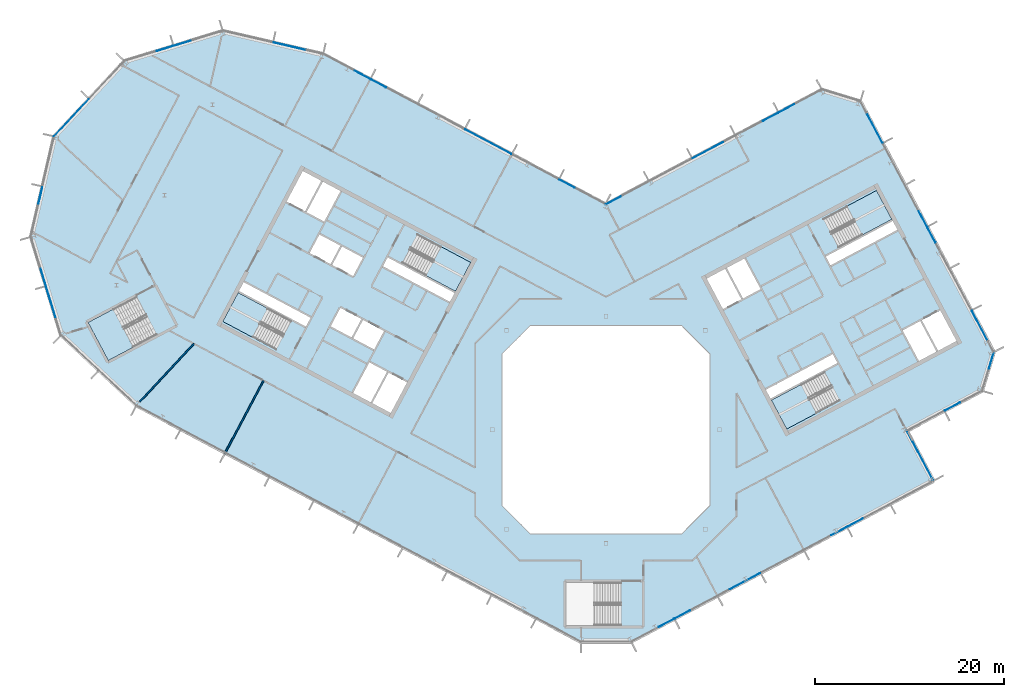
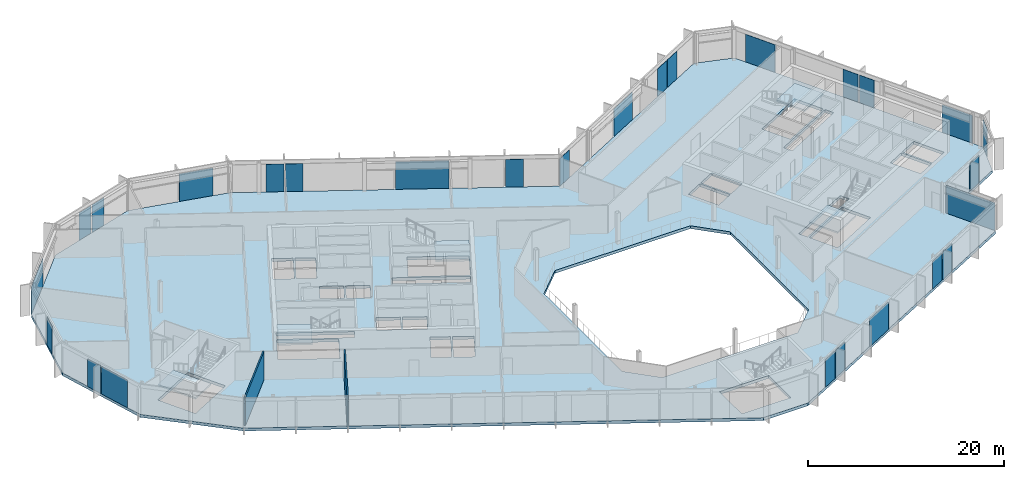
# One storey, part 11 of 25: 27 plates, 6 slabs, 2 walls, 17 elements without a shape of their own.
"""IFC4 building model written with IfcOpenShell, lengths in metres."""

from ifc_helpers import new_model, si_unit, direction, frame, frame_2d, origin, origin_2d, place, context, subcontext, project, spatial, polyline, rectangle, outline, extrude, material, layer, layer_set, type_object, element, aggregate, save


model = new_model("IFC4")

# Units and contexts
model_context = context("Model", 3, precision=1e-05, world=origin(), true_north=direction((0.0, 1.0)))
body_context = subcontext(model_context, "Body", "Model", "MODEL_VIEW")
ifc_project = project(units=[si_unit("LENGTHUNIT", "METRE"), si_unit("AREAUNIT", "SQUARE_METRE"), si_unit("VOLUMEUNIT", "CUBIC_METRE"), si_unit("PLANEANGLEUNIT", "RADIAN"), si_unit("MASSUNIT", "GRAM", prefix="KILO")], contexts=[model_context])

# Site, building, storey
site_placement = place(None, origin())
site = spatial("IfcSite", under=ifc_project, at=site_placement, CompositionType="ELEMENT")
building_placement = place(site_placement, origin())
building = spatial("IfcBuilding", under=site, at=building_placement, Name="Cormorant Relay Tower", CompositionType="ELEMENT")
storey_placement = place(building_placement, frame((0.0, 0.0, 297.0)))
storey = spatial("IfcBuildingStorey", under=building, at=storey_placement, Name="L67", CompositionType="ELEMENT", Elevation=297.0)

# Curtain wall, plates
ifc_material_1 = material(Name="Aluminium 6063-T6 anodised bronze", Category="aluminium")
ifc_layer_1 = layer(ifc_material_1, 0.199951171875)
ifc_layer_set_1 = layer_set([ifc_layer_1], Name="CW1 unitised bronze curtain wall with vertical fins")
curtain_wall_type = type_object("IfcCurtainWallType", Name="CW1 unitised bronze curtain wall with vertical fins", PredefinedType="NOTDEFINED", material=ifc_layer_set_1)
curtain_wall_1_placement = place(storey_placement, origin())
curtain_wall_1 = element("IfcCurtainWall", 1, at=curtain_wall_1_placement, inside=storey, type_object=curtain_wall_type, Name="CW1 curtain wall 2", PredefinedType="NOTDEFINED")
ifc_material_2 = material(Name="Tinted laminated glass", Category="glass")
ifc_layer_2 = layer(ifc_material_2, 0.0400390625)
ifc_layer_set_2 = layer_set([ifc_layer_2], Name="CW1 tinted vision panel 1800 module")
plate_type_1 = type_object("IfcPlateType", Name="CW1 tinted vision panel 1800 module", PredefinedType="CURTAIN_PANEL", material=ifc_layer_set_2)
plate_1_placement = place(storey_placement, frame((6.359130859375, -20.42529296875, 0.0), z_axis=(0.0, 0.0, 1.0), x_axis=(0.882947592859, 0.469471562786, 0.0)))
plate_1 = element("IfcPlate", 2, at=plate_1_placement, type_object=plate_type_1, Name="CW1 panel V01", PredefinedType="CURTAIN_PANEL", context=body_context, shape_type="SweptSolid", body=[
    extrude(rectangle(XDim=1.800048828125, YDim=0.0400390625, at=origin_2d()), origin(), (0.0, 0.0, 1.0), 3.449951171875),
])
plate_2_placement = place(storey_placement, frame((8.080810546875, -19.510009765625, 0.0), z_axis=(0.0, 0.0, 1.0), x_axis=(0.882947592859, 0.469471562786, 0.0)))
plate_2 = element("IfcPlate", 3, at=plate_2_placement, type_object=plate_type_1, Name="CW1 panel V02", PredefinedType="CURTAIN_PANEL", context=body_context, shape_type="SweptSolid", body=[
    extrude(rectangle(XDim=1.800048828125, YDim=0.0400390625, at=origin_2d()), origin(), (0.0, 0.0, 1.0), 3.449951171875),
])
plate_3_placement = place(storey_placement, frame((24.6064453125, -10.72314453125, 0.0), z_axis=(0.0, 0.0, 1.0), x_axis=(0.882947592859, 0.469471562786, 0.0)))
plate_3 = element("IfcPlate", 4, at=plate_3_placement, type_object=plate_type_1, Name="CW1 panel V06", PredefinedType="CURTAIN_PANEL", context=body_context, shape_type="SweptSolid", body=[
    extrude(rectangle(XDim=1.800048828125, YDim=0.0400390625, at=origin_2d()), origin(), (0.0, 0.0, 1.0), 3.449951171875),
])
plate_4_placement = place(storey_placement, frame((26.328125, -9.8076171875, 0.0), z_axis=(0.0, 0.0, 1.0), x_axis=(0.882947592859, 0.469471562786, 0.0)))
plate_4 = element("IfcPlate", 5, at=plate_4_placement, type_object=plate_type_1, Name="CW1 panel V07", PredefinedType="CURTAIN_PANEL", context=body_context, shape_type="SweptSolid", body=[
    extrude(rectangle(XDim=1.800048828125, YDim=0.0400390625, at=origin_2d()), origin(), (0.0, 0.0, 1.0), 3.449951171875),
])

# Curtain wall, plate
curtain_wall_2_placement = place(storey_placement, origin())
curtain_wall_2 = element("IfcCurtainWall", 6, at=curtain_wall_2_placement, inside=storey, type_object=curtain_wall_type, Name="CW1 curtain wall 4", PredefinedType="NOTDEFINED")
plate_5_placement = place(storey_placement, frame((36.608154296875, 2.45361328125, 0.0), z_axis=(0.0, 0.0, 1.0), x_axis=(0.882947592859, 0.469471562786, 0.0)))
plate_5 = element("IfcPlate", 7, at=plate_5_placement, type_object=plate_type_1, Name="CW1 panel V01", PredefinedType="CURTAIN_PANEL", context=body_context, shape_type="SweptSolid", body=[
    extrude(rectangle(XDim=1.800048828125, YDim=0.0400390625, at=origin_2d()), origin(), (0.0, 0.0, 1.0), 3.449951171875),
])
aggregate(curtain_wall_2, [plate_5])

curtain_wall_3_placement = place(storey_placement, origin())
curtain_wall_3 = element("IfcCurtainWall", 8, at=curtain_wall_3_placement, inside=storey, type_object=curtain_wall_type, Name="CW1 curtain wall 5", PredefinedType="NOTDEFINED")
plate_6_placement = place(storey_placement, frame((40.70751953125, 7.31689453125, 0.0), z_axis=(0.0, 0.0, 1.0), x_axis=(0.292371704723, 0.956304755963, 0.0)))
plate_6 = element("IfcPlate", 9, at=plate_6_placement, type_object=plate_type_1, Name="CW1 panel V01", PredefinedType="CURTAIN_PANEL", context=body_context, shape_type="SweptSolid", body=[
    extrude(rectangle(XDim=1.800048828125, YDim=0.0400390625, at=origin_2d()), origin(), (0.0, 0.0, 1.0), 3.449951171875),
])
aggregate(curtain_wall_3, [plate_6])

# Curtain wall, plates
curtain_wall_4_placement = place(storey_placement, origin())
curtain_wall_4 = element("IfcCurtainWall", 10, at=curtain_wall_4_placement, inside=storey, type_object=curtain_wall_type, Name="CW1 curtain wall 6", PredefinedType="NOTDEFINED")
plate_7_placement = place(storey_placement, frame((34.385009765625, 20.576171875, 0.0), z_axis=(0.0, 0.0, 1.0), x_axis=(-0.469471562786, 0.882947592859, 0.0)))
plate_7 = element("IfcPlate", 11, at=plate_7_placement, type_object=plate_type_1, Name="CW1 panel V03", PredefinedType="CURTAIN_PANEL", context=body_context, shape_type="SweptSolid", body=[
    extrude(rectangle(XDim=1.800048828125, YDim=0.0400390625, at=origin_2d()), origin(), (0.0, 0.0, 1.0), 3.449951171875),
])
plate_8_placement = place(storey_placement, frame((33.469482421875, 22.298095703125, 0.0), z_axis=(0.0, 0.0, 1.0), x_axis=(-0.469471562786, 0.882947592859, 0.0)))
plate_8 = element("IfcPlate", 12, at=plate_8_placement, type_object=plate_type_1, Name="CW1 panel V04", PredefinedType="CURTAIN_PANEL", context=body_context, shape_type="SweptSolid", body=[
    extrude(rectangle(XDim=1.800048828125, YDim=0.0400390625, at=origin_2d()), origin(), (0.0, 0.0, 1.0), 3.449951171875),
])

curtain_wall_5_placement = place(storey_placement, origin())
curtain_wall_5 = element("IfcCurtainWall", 13, at=curtain_wall_5_placement, inside=storey, type_object=curtain_wall_type, Name="CW1 curtain wall 8", PredefinedType="NOTDEFINED")
plate_9_placement = place(storey_placement, frame((19.099609375, 33.962158203125, 0.0), z_axis=(0.0, 0.0, 1.0), x_axis=(-0.882947592859, -0.469471562786, 0.0)))
plate_9 = element("IfcPlate", 14, at=plate_9_placement, type_object=plate_type_1, Name="CW1 panel V01", PredefinedType="CURTAIN_PANEL", context=body_context, shape_type="SweptSolid", body=[
    extrude(rectangle(XDim=1.800048828125, YDim=0.0400390625, at=origin_2d()), origin(), (0.0, 0.0, 1.0), 3.449951171875),
])
plate_10_placement = place(storey_placement, frame((17.3779296875, 33.046630859375, 0.0), z_axis=(0.0, 0.0, 1.0), x_axis=(-0.882947592859, -0.469471562786, 0.0)))
plate_10 = element("IfcPlate", 15, at=plate_10_placement, type_object=plate_type_1, Name="CW1 panel V02", PredefinedType="CURTAIN_PANEL", context=body_context, shape_type="SweptSolid", body=[
    extrude(rectangle(XDim=1.800048828125, YDim=0.0400390625, at=origin_2d()), origin(), (0.0, 0.0, 1.0), 3.449951171875),
])
plate_11_placement = place(storey_placement, frame((0.785400390625, 24.22412109375, 0.0), z_axis=(0.0, 0.0, 1.0), x_axis=(-0.882947592859, -0.469471562786, 0.0)))
plate_11 = element("IfcPlate", 16, at=plate_11_placement, type_object=plate_type_1, Name="CW1 panel V06", PredefinedType="CURTAIN_PANEL", context=body_context, shape_type="SweptSolid", body=[
    extrude(rectangle(XDim=1.800048828125, YDim=0.0400390625, at=origin_2d()), origin(), (0.0, 0.0, 1.0), 3.449951171875),
])

curtain_wall_6_placement = place(storey_placement, origin())
curtain_wall_6 = element("IfcCurtainWall", 17, at=curtain_wall_6_placement, inside=storey, type_object=curtain_wall_type, Name="CW1 curtain wall 9", PredefinedType="NOTDEFINED")
plate_12_placement = place(storey_placement, frame((-4.108642578125, 25.9912109375, 0.0), z_axis=(0.0, 0.0, 1.0), x_axis=(-0.882947592859, 0.469471562786, 0.0)))
plate_12 = element("IfcPlate", 18, at=plate_12_placement, type_object=plate_type_1, Name="CW1 panel V01", PredefinedType="CURTAIN_PANEL", context=body_context, shape_type="SweptSolid", body=[
    extrude(rectangle(XDim=1.800048828125, YDim=0.0400390625, at=origin_2d()), origin(), (0.0, 0.0, 1.0), 3.449951171875),
])
plate_13_placement = place(storey_placement, frame((-24.0244140625, 36.580810546875, 0.0), z_axis=(0.0, 0.0, 1.0), x_axis=(-0.882947592859, 0.469471562786, 0.0)))
plate_13 = element("IfcPlate", 19, at=plate_13_placement, type_object=plate_type_1, Name="CW1 panel V05", PredefinedType="CURTAIN_PANEL", context=body_context, shape_type="SweptSolid", body=[
    extrude(rectangle(XDim=1.800048828125, YDim=0.0400390625, at=origin_2d()), origin(), (0.0, 0.0, 1.0), 3.449951171875),
])
plate_14_placement = place(storey_placement, frame((-25.746337890625, 37.49609375, 0.0), z_axis=(0.0, 0.0, 1.0), x_axis=(-0.882947592859, 0.469471562786, 0.0)))
plate_14 = element("IfcPlate", 20, at=plate_14_placement, type_object=plate_type_1, Name="CW1 panel V06", PredefinedType="CURTAIN_PANEL", context=body_context, shape_type="SweptSolid", body=[
    extrude(rectangle(XDim=1.800048828125, YDim=0.0400390625, at=origin_2d()), origin(), (0.0, 0.0, 1.0), 3.449951171875),
])

curtain_wall_7_placement = place(storey_placement, origin())
curtain_wall_7 = element("IfcCurtainWall", 21, at=curtain_wall_7_placement, inside=storey, type_object=curtain_wall_type, Name="CW1 curtain wall 11", PredefinedType="NOTDEFINED")
plate_15_placement = place(storey_placement, frame((-44.73681640625, 40.82861328125, 0.0), z_axis=(0.0, 0.0, 1.0), x_axis=(-0.956304755963, -0.292371704723, 0.0)))
plate_15 = element("IfcPlate", 22, at=plate_15_placement, type_object=plate_type_1, Name="CW1 panel V01", PredefinedType="CURTAIN_PANEL", context=body_context, shape_type="SweptSolid", body=[
    extrude(rectangle(XDim=1.800048828125, YDim=0.0400390625, at=origin_2d()), origin(), (0.0, 0.0, 1.0), 3.449951171875),
])
plate_16_placement = place(storey_placement, frame((-46.6015625, 40.25830078125, 0.0), z_axis=(0.0, 0.0, 1.0), x_axis=(-0.956304755963, -0.292371704723, 0.0)))
plate_16 = element("IfcPlate", 23, at=plate_16_placement, type_object=plate_type_1, Name="CW1 panel V02", PredefinedType="CURTAIN_PANEL", context=body_context, shape_type="SweptSolid", body=[
    extrude(rectangle(XDim=1.800048828125, YDim=0.0400390625, at=origin_2d()), origin(), (0.0, 0.0, 1.0), 3.449951171875),
])
aggregate(curtain_wall_7, [plate_15, plate_16])

# Curtain wall, plate
curtain_wall_8_placement = place(storey_placement, origin())
curtain_wall_8 = element("IfcCurtainWall", 24, at=curtain_wall_8_placement, inside=storey, type_object=curtain_wall_type, Name="CW1 curtain wall 13", PredefinedType="NOTDEFINED")
plate_17_placement = place(storey_placement, frame((-59.736083984375, 24.74365234375, 0.0), z_axis=(0.0, 0.0, 1.0), x_axis=(-0.224951054344, -0.974370064785, 0.0)))
plate_17 = element("IfcPlate", 25, at=plate_17_placement, type_object=plate_type_1, Name="CW1 panel V01", PredefinedType="CURTAIN_PANEL", context=body_context, shape_type="SweptSolid", body=[
    extrude(rectangle(XDim=1.800048828125, YDim=0.0400390625, at=origin_2d()), origin(), (0.0, 0.0, 1.0), 3.449951171875),
])
aggregate(curtain_wall_8, [plate_17])

curtain_wall_9_placement = place(storey_placement, origin())
curtain_wall_9 = element("IfcCurtainWall", 26, at=curtain_wall_9_placement, inside=storey, type_object=curtain_wall_type, Name="CW1 curtain wall 14", PredefinedType="NOTDEFINED")
plate_18_placement = place(storey_placement, frame((-59.434814453125, 16.122314453125, 0.0), z_axis=(0.0, 0.0, 1.0), x_axis=(0.292371704723, -0.956304755963, 0.0)))
plate_18 = element("IfcPlate", 27, at=plate_18_placement, type_object=plate_type_1, Name="CW1 panel V01", PredefinedType="CURTAIN_PANEL", context=body_context, shape_type="SweptSolid", body=[
    extrude(rectangle(XDim=1.800048828125, YDim=0.0400390625, at=origin_2d()), origin(), (0.0, 0.0, 1.0), 3.449951171875),
])

# Plate
ifc_material_3 = material(Name="Tinted laminated glass", Category="glass")
ifc_layer_3 = layer(ifc_material_3, 0.0400390625)
ifc_layer_set_3 = layer_set([ifc_layer_3], Name="CW1 tinted vision panel 3600 module")
plate_type_2 = type_object("IfcPlateType", Name="CW1 tinted vision panel 3600 module", PredefinedType="CURTAIN_PANEL", material=ifc_layer_set_3)
plate_19_placement = place(storey_placement, frame((14.68798828125, -15.996826171875, 0.0), z_axis=(0.0, 0.0, 1.0), x_axis=(0.882947592859, 0.469471562786, 0.0)))
plate_19 = element("IfcPlate", 28, at=plate_19_placement, type_object=plate_type_2, Name="CW1 panel V04", PredefinedType="CURTAIN_PANEL", context=body_context, shape_type="SweptSolid", body=[
    extrude(rectangle(XDim=3.60009765625, YDim=0.0400390625, at=origin_2d()), origin(), (0.0, 0.0, 1.0), 3.449951171875),
])

aggregate(curtain_wall_1, [plate_1, plate_2, plate_19, plate_3, plate_4])

plate_20_placement = place(storey_placement, frame((39.502197265625, 10.9521484375, 0.0), z_axis=(0.0, 0.0, 1.0), x_axis=(-0.469471562786, 0.882947592859, 0.0)))
plate_20 = element("IfcPlate", 29, at=plate_20_placement, type_object=plate_type_2, Name="CW1 panel V01", PredefinedType="CURTAIN_PANEL", context=body_context, shape_type="SweptSolid", body=[
    extrude(rectangle(XDim=3.60009765625, YDim=0.0400390625, at=origin_2d()), origin(), (0.0, 0.0, 1.0), 3.449951171875),
])

plate_21_placement = place(storey_placement, frame((28.352294921875, 31.922119140625, 0.0), z_axis=(0.0, 0.0, 1.0), x_axis=(-0.469471562786, 0.882947592859, 0.0)))
plate_21 = element("IfcPlate", 30, at=plate_21_placement, type_object=plate_type_2, Name="CW1 panel V06", PredefinedType="CURTAIN_PANEL", context=body_context, shape_type="SweptSolid", body=[
    extrude(rectangle(XDim=3.60009765625, YDim=0.0400390625, at=origin_2d()), origin(), (0.0, 0.0, 1.0), 3.449951171875),
])

aggregate(curtain_wall_4, [plate_20, plate_7, plate_8, plate_21])

plate_22_placement = place(storey_placement, frame((10.770263671875, 29.533203125, 0.0), z_axis=(0.0, 0.0, 1.0), x_axis=(-0.882947592859, -0.469471562786, 0.0)))
plate_22 = element("IfcPlate", 31, at=plate_22_placement, type_object=plate_type_2, Name="CW1 panel V04", PredefinedType="CURTAIN_PANEL", context=body_context, shape_type="SweptSolid", body=[
    extrude(rectangle(XDim=3.60009765625, YDim=0.0400390625, at=origin_2d()), origin(), (0.0, 0.0, 1.0), 3.449951171875),
])

aggregate(curtain_wall_5, [plate_9, plate_10, plate_22, plate_11])

# Curtain wall, plate
curtain_wall_10_placement = place(storey_placement, origin())
curtain_wall_10 = element("IfcCurtainWall", 32, at=curtain_wall_10_placement, inside=storey, type_object=curtain_wall_type, Name="CW1 curtain wall 10", PredefinedType="NOTDEFINED")
plate_23_placement = place(storey_placement, frame((-33.338134765625, 40.488525390625, 0.0), z_axis=(0.0, 0.0, 1.0), x_axis=(-0.974370064785, 0.224951054344, 0.0)))
plate_23 = element("IfcPlate", 33, at=plate_23_placement, type_object=plate_type_2, Name="CW1 panel V01", PredefinedType="CURTAIN_PANEL", context=body_context, shape_type="SweptSolid", body=[
    extrude(rectangle(XDim=3.60009765625, YDim=0.0400390625, at=origin_2d()), origin(), (0.0, 0.0, 1.0), 3.449951171875),
])
aggregate(curtain_wall_10, [plate_23])

# Plate
plate_24_placement = place(storey_placement, frame((-58.601806640625, 13.396728515625, 0.0), z_axis=(0.0, 0.0, 1.0), x_axis=(0.292371704723, -0.956304755963, 0.0)))
plate_24 = element("IfcPlate", 34, at=plate_24_placement, type_object=plate_type_2, Name="CW1 panel V02", PredefinedType="CURTAIN_PANEL", context=body_context, shape_type="SweptSolid", body=[
    extrude(rectangle(XDim=3.60009765625, YDim=0.0400390625, at=origin_2d()), origin(), (0.0, 0.0, 1.0), 3.449951171875),
])

aggregate(curtain_wall_9, [plate_18, plate_24])

# Curtain wall, plate
curtain_wall_11_placement = place(storey_placement, origin())
curtain_wall_11 = element("IfcCurtainWall", 35, at=curtain_wall_11_placement, inside=storey, type_object=curtain_wall_type, Name="CW1 curtain wall 3", PredefinedType="NOTDEFINED")
ifc_material_4 = material(Name="Tinted laminated glass", Category="glass")
ifc_layer_4 = layer(ifc_material_4, 0.0400390625)
ifc_layer_set_4 = layer_set([ifc_layer_4], Name="CW1 tinted vision panel 5400 module")
plate_type_3 = type_object("IfcPlateType", Name="CW1 tinted vision panel 5400 module", PredefinedType="CURTAIN_PANEL", material=ifc_layer_set_4)
plate_25_placement = place(storey_placement, frame((33.173095703125, -2.705322265625, 0.0), z_axis=(0.0, 0.0, 1.0), x_axis=(-0.469471562786, 0.882947592859, 0.0)))
plate_25 = element("IfcPlate", 36, at=plate_25_placement, type_object=plate_type_3, Name="CW1 panel V00", PredefinedType="CURTAIN_PANEL", context=body_context, shape_type="SweptSolid", body=[
    extrude(rectangle(XDim=5.925048828125, YDim=0.0400390625, at=origin_2d()), origin(), (0.0, 0.0, 1.0), 3.449951171875),
])
aggregate(curtain_wall_11, [plate_25])

# Plate
plate_26_placement = place(storey_placement, frame((-12.43798828125, 30.419921875, 0.0), z_axis=(0.0, 0.0, 1.0), x_axis=(-0.882947592859, 0.469471562786, 0.0)))
plate_26 = element("IfcPlate", 37, at=plate_26_placement, type_object=plate_type_3, Name="CW1 panel V03", PredefinedType="CURTAIN_PANEL", context=body_context, shape_type="SweptSolid", body=[
    extrude(rectangle(XDim=5.489013671875, YDim=0.0400390625, at=origin_2d()), origin(), (0.0, 0.0, 1.0), 3.449951171875),
])

aggregate(curtain_wall_6, [plate_12, plate_26, plate_13, plate_14])

# Curtain wall, plate
curtain_wall_12_placement = place(storey_placement, origin())
curtain_wall_12 = element("IfcCurtainWall", 38, at=curtain_wall_12_placement, inside=storey, type_object=curtain_wall_type, Name="CW1 curtain wall 12", PredefinedType="NOTDEFINED")
plate_27_placement = place(storey_placement, frame((-56.461181640625, 32.958984375, 0.0), z_axis=(0.0, 0.0, 1.0), x_axis=(-0.681998360062, -0.731353701619, 0.0)))
plate_27 = element("IfcPlate", 39, at=plate_27_placement, type_object=plate_type_3, Name="CW1 panel V01", PredefinedType="CURTAIN_PANEL", context=body_context, shape_type="SweptSolid", body=[
    extrude(rectangle(XDim=5.360107421875, YDim=0.0400390625, at=origin_2d()), origin(), (0.0, 0.0, 1.0), 3.449951171875),
])
aggregate(curtain_wall_12, [plate_27])

# Stair, slab
ifc_material_5 = material(Name="Concrete 40 MPa", Category="concrete")
stair_type_1 = type_object("IfcStairType", Name="Exit stair 1500", PredefinedType="HALF_TURN_STAIR", material=ifc_material_5)
stair_1_placement = place(storey_placement, origin())
stair_1 = element("IfcStair", 40, at=stair_1_placement, inside=storey, type_object=stair_type_1, Name="L67 Stair", PredefinedType="HALF_TURN_STAIR")
ifc_material_6 = material(Name="Concrete 40 MPa", Category="concrete")
ifc_layer_5 = layer(ifc_material_6, 0.199951171875)
ifc_layer_set_5 = layer_set([ifc_layer_5], Name="Exit stair landing 200")
slab_type_1 = type_object("IfcSlabType", Name="Exit stair landing 200", PredefinedType="LANDING", material=ifc_layer_set_5)
slab_1_placement = place(storey_placement, frame((0.0, 0.0, 1.75)))
slab_1 = element("IfcSlab", 41, at=slab_1_placement, type_object=slab_type_1, Name="A1 landing 1", PredefinedType="LANDING", context=body_context, shape_type="SweptSolid", body=[
    extrude(outline(polyline([(-19.029541015625, 16.29052734375), (-15.89501953125, 14.6240234375), (-14.275390625, 17.670166015625), (-17.40966796875, 19.3369140625), (-19.029541015625, 16.29052734375)])), origin(), (0.0, 0.0, 1.0), 0.199951171875),
])
aggregate(stair_1, [slab_1])

stair_2_placement = place(storey_placement, origin())
stair_2 = element("IfcStair", 42, at=stair_2_placement, inside=storey, type_object=stair_type_1, Name="L67 Stair", PredefinedType="HALF_TURN_STAIR")
slab_2_placement = place(storey_placement, frame((0.0, 0.0, 1.75)))
slab_2 = element("IfcSlab", 43, at=slab_2_placement, type_object=slab_type_1, Name="A2 landing 1", PredefinedType="LANDING", context=body_context, shape_type="SweptSolid", body=[
    extrude(outline(polyline([(-35.71337890625, 12.816650390625), (-38.84765625, 14.483154296875), (-40.467529296875, 11.43701171875), (-37.3330078125, 9.7705078125), (-35.71337890625, 12.816650390625)])), origin(), (0.0, 0.0, 1.0), 0.199951171875),
])
aggregate(stair_2, [slab_2])

stair_3_placement = place(storey_placement, origin())
stair_3 = element("IfcStair", 44, at=stair_3_placement, inside=storey, type_object=stair_type_1, Name="L67 Stair", PredefinedType="HALF_TURN_STAIR")
slab_3_placement = place(storey_placement, frame((0.0, 0.0, 1.75)))
slab_3 = element("IfcSlab", 45, at=slab_3_placement, type_object=slab_type_1, Name="B1 landing 1", PredefinedType="LANDING", context=body_context, shape_type="SweptSolid", body=[
    extrude(outline(polyline([(20.614990234375, 4.78857421875), (17.48046875, 3.1220703125), (19.10009765625, 0.075927734375), (22.234619140625, 1.742431640625), (20.614990234375, 4.78857421875)])), origin(), (0.0, 0.0, 1.0), 0.199951171875),
])
aggregate(stair_3, [slab_3])

stair_4_placement = place(storey_placement, origin())
stair_4 = element("IfcStair", 46, at=stair_4_placement, inside=storey, type_object=stair_type_1, Name="L67 Stair", PredefinedType="HALF_TURN_STAIR")
slab_4_placement = place(storey_placement, frame((0.0, 0.0, 1.75)))
slab_4 = element("IfcSlab", 47, at=slab_4_placement, type_object=slab_type_1, Name="B2 landing 1", PredefinedType="LANDING", context=body_context, shape_type="SweptSolid", body=[
    extrude(outline(polyline([(27.064208984375, 20.562744140625), (30.19873046875, 22.2294921875), (28.5791015625, 25.275634765625), (25.444580078125, 23.60888671875), (27.064208984375, 20.562744140625)])), origin(), (0.0, 0.0, 1.0), 0.199951171875),
])
aggregate(stair_4, [slab_4])

ifc_material_7 = material(Name="Concrete 40 MPa", Category="concrete")
stair_type_2 = type_object("IfcStairType", Name="Remote exit stair 2200", PredefinedType="HALF_TURN_STAIR", material=ifc_material_7)
stair_5_placement = place(storey_placement, origin())
stair_5 = element("IfcStair", 48, at=stair_5_placement, inside=storey, type_object=stair_type_2, Name="L67 Stair", PredefinedType="HALF_TURN_STAIR")
slab_5_placement = place(storey_placement, frame((0.0, 0.0, 1.75)))
slab_5 = element("IfcSlab", 49, at=slab_5_placement, type_object=slab_type_1, Name="RP1 landing 1", PredefinedType="LANDING", context=body_context, shape_type="SweptSolid", body=[
    extrude(outline(polyline([(-52.051025390625, 12.7392578125), (-54.699951171875, 11.330810546875), (-52.563720703125, 7.3134765625), (-49.914794921875, 8.721923828125), (-52.051025390625, 12.7392578125)])), origin(), (0.0, 0.0, 1.0), 0.199951171875),
])
aggregate(stair_5, [slab_5])

# Slab
ifc_material_8 = material(Name="Concrete 40 MPa", Category="concrete")
ifc_layer_6 = layer(ifc_material_8, 0.360107421875)
ifc_layer_set_6 = layer_set([ifc_layer_6], Name="Flat plate 360")
slab_type_2 = type_object("IfcSlabType", Name="Flat plate 360", PredefinedType="FLOOR", material=ifc_layer_set_6)
slab_6_placement = place(storey_placement, frame((0.0, 0.0, -0.360107421875)))
element("IfcSlab", 50, at=slab_6_placement, inside=storey, type_object=slab_type_2, Name="Floor slab L67", PredefinedType="FLOOR", context=body_context, shape_type="SweptSolid", body=[
    extrude(outline(polyline([(-60.7197265625, 20.393310546875), (-58.2744140625, 30.985107421875), (-50.86083984375, 38.935302734375), (-40.465576171875, 42.11328125), (-29.873779296875, 39.668212890625), (0.0, 23.783935546875), (22.810302734375, 35.912353515625), (26.867431640625, 34.671875), (40.95166015625, 8.18359375), (39.711181640625, 4.126220703125), (31.7646484375, -0.09912109375), (34.581298828125, -5.396728515625), (2.648681640625, -22.37548828125), (-2.648681640625, -22.37548828125), (-49.591552734375, 2.584228515625), (-57.541748046875, 9.997802734375), (-60.7197265625, 20.393310546875)]), holes=[polyline([(11.0, -8.0), (11.0, 8.0), (8.0, 11.0), (-8.0, 11.0), (-11.0, 8.0), (-11.0, -8.0), (-8.0, -11.0), (8.0, -11.0), (11.0, -8.0)]), polyline([(-22.95458984375, 6.03271484375), (-24.668212890625, 2.81005859375), (-22.725830078125, 1.777099609375), (-21.01220703125, 5.0), (-23.04296875, 6.07958984375), (-22.95458984375, 6.03271484375)]), polyline([(-24.985595703125, 7.112548828125), (-26.69921875, 3.889892578125), (-24.844970703125, 2.90380859375), (-23.13134765625, 6.126708984375), (-23.04296875, 6.07958984375), (-24.985595703125, 7.112548828125)]), polyline([(-24.481201171875, 8.48681640625), (-23.448486328125, 10.42919921875), (-25.656005859375, 11.602783203125), (-26.688720703125, 9.660400390625), (-24.481201171875, 8.48681640625)]), polyline([(-49.57861328125, 14.0537109375), (-54.69970703125, 11.330810546875), (-52.563720703125, 7.3134765625), (-47.442626953125, 10.036376953125), (-49.57861328125, 14.0537109375)]), polyline([(-25.83251953125, 11.69677734375), (-28.039794921875, 12.870361328125), (-29.07275390625, 10.927978515625), (-26.865234375, 9.75439453125), (-25.83251953125, 11.69677734375)]), polyline([(-38.847900390625, 14.483154296875), (-40.46728515625, 11.43701171875), (-34.860595703125, 8.455810546875), (-33.240966796875, 11.502197265625), (-38.847900390625, 14.483154296875)]), polyline([(-38.260986328125, 15.5869140625), (-38.75390625, 14.659912109375), (-31.690185546875, 10.904052734375), (-31.197265625, 11.8310546875), (-38.260986328125, 15.5869140625)]), polyline([(-26.702880859375, 16.23681640625), (-25.670166015625, 18.17919921875), (-27.87744140625, 19.35302734375), (-28.910400390625, 17.410400390625), (-26.702880859375, 16.23681640625)]), polyline([(-31.294189453125, 18.677978515625), (-29.0869140625, 17.50439453125), (-28.053955078125, 19.447021484375), (-30.261474609375, 20.62060546875), (-31.294189453125, 18.677978515625)]), polyline([(-31.611572265625, 22.980712890625), (-29.75732421875, 21.99462890625), (-28.043701171875, 25.217529296875), (-29.89794921875, 26.203369140625), (-31.611572265625, 22.980712890625)]), polyline([(-32.01708984375, 27.330078125), (-33.73046875, 24.107421875), (-31.7880859375, 23.074462890625), (-30.074462890625, 26.29736328125), (-32.01708984375, 27.330078125)]), polyline([(-4.199951171875, -16.125), (-4.199951171875, -20.675048828125), (1.60009765625, -20.675048828125), (1.60009765625, -16.125), (-4.199951171875, -16.125)]), polyline([(17.48046875, 3.1220703125), (19.10009765625, 0.07568359375), (24.706787109375, 3.056884765625), (23.087158203125, 6.10302734375), (17.48046875, 3.1220703125)]), polyline([(17.386474609375, 3.298583984375), (24.4501953125, 7.054443359375), (23.957275390625, 7.9814453125), (16.8935546875, 4.2255859375), (17.386474609375, 3.298583984375)]), polyline([(33.197021484375, 11.478515625), (31.3427734375, 10.49267578125), (33.056396484375, 7.27001953125), (34.910400390625, 8.255859375), (33.197021484375, 11.478515625)]), polyline([(33.37353515625, 11.572509765625), (35.087158203125, 8.349609375), (37.029541015625, 9.382568359375), (35.31591796875, 12.605224609375), (33.37353515625, 11.572509765625)]), polyline([(14.3056640625, 13.779052734375), (12.592041015625, 17.001708984375), (10.649658203125, 15.968994140625), (12.36328125, 12.74609375), (14.39404296875, 13.825927734375), (14.3056640625, 13.779052734375)]), polyline([(16.33642578125, 14.85888671875), (14.622802734375, 18.08154296875), (12.768798828125, 17.095703125), (14.482421875, 13.872802734375), (14.39404296875, 13.825927734375), (16.33642578125, 14.85888671875)]), polyline([(-16.481689453125, 13.520263671875), (-15.989013671875, 14.447509765625), (-23.052490234375, 18.203125), (-23.54541015625, 17.276123046875), (-16.481689453125, 13.520263671875)]), polyline([(-15.89501953125, 14.6240234375), (-14.275390625, 17.670166015625), (-19.882080078125, 20.6513671875), (-21.501708984375, 17.605224609375), (-15.89501953125, 14.6240234375)]), polyline([(30.78564453125, 21.125732421875), (30.29248046875, 22.052978515625), (23.22900390625, 18.297119140625), (23.721923828125, 17.3701171875), (30.78564453125, 21.125732421875)]), polyline([(24.592041015625, 19.248291015625), (30.19873046875, 22.2294921875), (28.5791015625, 25.275634765625), (22.972412109375, 22.29443359375), (24.592041015625, 19.248291015625)])]), origin(), (0.0, 0.0, 1.0), 0.360107421875),
])

# Walls
ifc_material_9 = material(Name="Gypsum board partition")
ifc_layer_7 = layer(ifc_material_9, 0.14990234375)
ifc_layer_set_7 = layer_set([ifc_layer_7], Name="Tenant partition 150")
wall_type = type_object("IfcWallType", Name="Tenant partition 150", PredefinedType="PARTITIONING", material=ifc_layer_set_7)
wall_1_placement = place(storey_placement, frame((-43.51904296875, 9.095947265625, 0.0), z_axis=(0.0, 0.0, 1.0), x_axis=(-0.682006444307, -0.731346162856, 0.0)))
element("IfcWall", 51, at=wall_1_placement, inside=storey, type_object=wall_type, Name="wall/L67/part/006", PredefinedType="PARTITIONING", context=body_context, shape_type="SweptSolid", body=[
    extrude(rectangle(XDim=8.4267578125, YDim=0.14990234375, at=frame_2d((4.21337890625, 0.0))), origin(), (0.0, 0.0, 1.0), 3.5400390625),
])
wall_2_placement = place(storey_placement, frame((-36.166015625, 5.18603515625, 0.0), z_axis=(0.0, 0.0, 1.0), x_axis=(-0.469445946219, -0.882961212952, 0.0)))
element("IfcWall", 52, at=wall_2_placement, inside=storey, type_object=wall_type, Name="wall/L67/part/007", PredefinedType="PARTITIONING", context=body_context, shape_type="SweptSolid", body=[
    extrude(rectangle(XDim=8.800048828125, YDim=0.14990234375, at=frame_2d((4.39990234375, 0.0))), origin(), (0.0, 0.0, 1.0), 3.5400390625),
])

save(model, "model.ifc")
